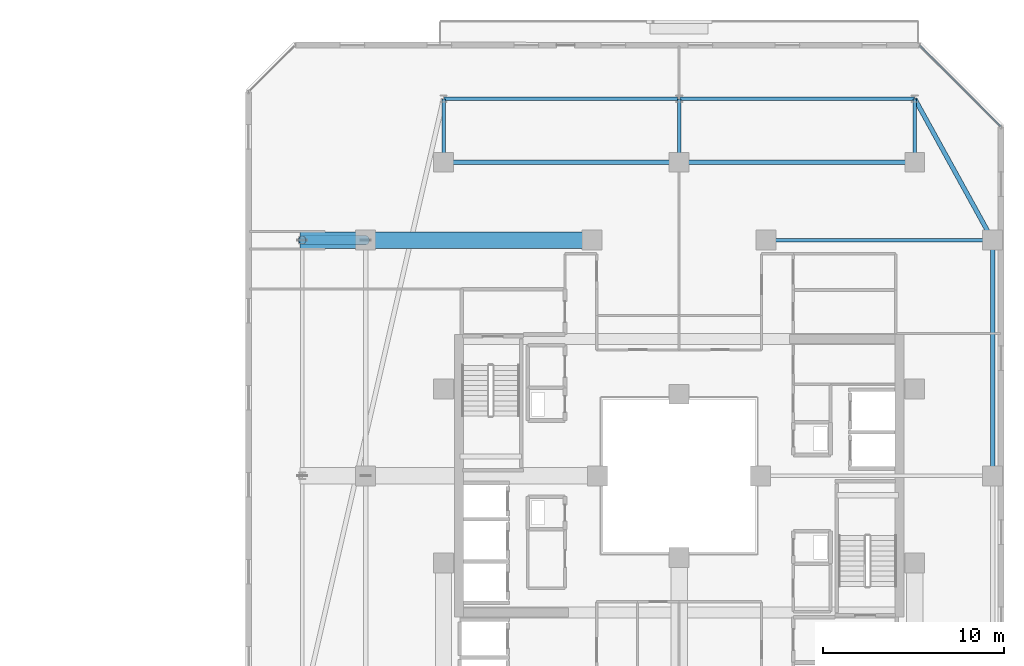
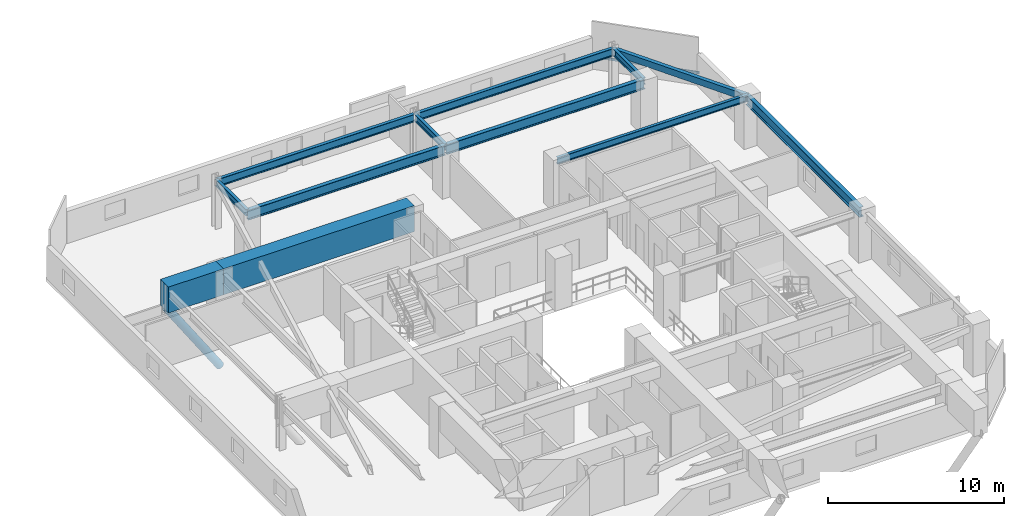
# One storey, part 15 of 36: 12 beams, 2 members, 1 element without a shape of its own.
"""IFC4 building model written with IfcOpenShell, lengths in metres."""

from ifc_helpers import new_model, si_unit, direction, frame, origin, origin_2d, place, context, subcontext, project, spatial, rectangle, hollow_rectangle, hollow_circle, i_section, extrude, material, material_profile, profile_set, type_object, element, aggregate, save


model = new_model("IFC4")

# Units and contexts
model_context = context("Model", 3, precision=1e-05, world=origin(), true_north=direction((0.0, 1.0)))
body_context = subcontext(model_context, "Body", "Model", "MODEL_VIEW")
ifc_project = project(units=[si_unit("LENGTHUNIT", "METRE"), si_unit("AREAUNIT", "SQUARE_METRE"), si_unit("VOLUMEUNIT", "CUBIC_METRE"), si_unit("PLANEANGLEUNIT", "RADIAN"), si_unit("MASSUNIT", "GRAM", prefix="KILO")], contexts=[model_context])

# Site, building, storey
site_placement = place(None, origin())
site = spatial("IfcSite", under=ifc_project, at=site_placement, CompositionType="ELEMENT")
building_placement = place(site_placement, origin())
building = spatial("IfcBuilding", under=site, at=building_placement, Name="Thornwick Lancets Civic Towers", CompositionType="ELEMENT")
storey_placement = place(building_placement, frame((0.0, 0.0, 196.5)))
storey = spatial("IfcBuildingStorey", under=building, at=storey_placement, Name="L52", CompositionType="ELEMENT", Elevation=196.5)

# Beams
ifc_material_1 = material(Name="Steel S355JR", Category="steel")
ifc_material_profile_1 = material_profile(ifc_material_1, i_section(OverallWidth=0.210693359375, OverallDepth=0.53955078125, WebThickness=0.01171875, FlangeThickness=0.018798828125, FilletRadius=0.0126953125, at=origin_2d()), Name="UKB 533x210x109")
ifc_profile_set_1 = profile_set([ifc_material_profile_1], Name="Steel S355JR")
beam_type_1 = type_object("IfcBeamType", Name="BM_EDGE_533_109", PredefinedType="SPANDREL", material=ifc_profile_set_1)
beam_1_placement = place(storey_placement, frame((101.5, 47.800048828125, 3.0703125), z_axis=(-1.0, 0.0, 0.0), x_axis=(0.0, -1.0, 0.0)))
element("IfcBeam", 1, at=beam_1_placement, inside=storey, type_object=beam_type_1, Name="BM-EDGE-L52-B-S1-1", PredefinedType="SPANDREL", context=body_context, shape_type="SweptSolid", body=[
    extrude(i_section(OverallWidth=0.210693359375, OverallDepth=0.53955078125, WebThickness=0.01171875, FlangeThickness=0.018798828125, FilletRadius=0.0126953125, at=origin_2d()), origin(), (0.0, 0.0, 1.0), 13.0),
])
beam_2_placement = place(storey_placement, frame((88.419921875, 47.800048828125, 3.0703125), z_axis=(-1.0, 0.0, 0.0), x_axis=(0.0, -1.0, 0.0)))
element("IfcBeam", 2, at=beam_2_placement, inside=storey, type_object=beam_type_1, Name="BM-EDGE-L52-B-S1-2", PredefinedType="SPANDREL", context=body_context, shape_type="SweptSolid", body=[
    extrude(i_section(OverallWidth=0.210693359375, OverallDepth=0.53955078125, WebThickness=0.01171875, FlangeThickness=0.018798828125, FilletRadius=0.0126953125, at=origin_2d()), origin(), (0.0, 0.0, 1.0), 12.919921875),
])
ifc_material_profile_2 = material_profile(ifc_material_1, i_section(OverallWidth=0.255859375, OverallDepth=0.69287109375, WebThickness=0.014404296875, FlangeThickness=0.023681640625, FilletRadius=0.01513671875, at=origin_2d()), Name="UKB 686x254x170")
ifc_profile_set_2 = profile_set([ifc_material_profile_2], Name="Steel S355JR")
beam_type_2 = type_object("IfcBeamType", Name="BM_GIRD_686_170", PredefinedType="BEAM", material=ifc_profile_set_2)
beam_3_placement = place(storey_placement, frame((105.800048828125, 27.080078125, 2.993408203125), z_axis=(0.0, 1.0, 0.0), x_axis=(-1.0, 0.0, 0.0)))
element("IfcBeam", 3, at=beam_3_placement, inside=storey, type_object=beam_type_2, Name="BM-SPINE-L52-B-1-2", PredefinedType="BEAM", context=body_context, shape_type="SweptSolid", body=[
    extrude(i_section(OverallWidth=0.255859375, OverallDepth=0.69287109375, WebThickness=0.014404296875, FlangeThickness=0.023681640625, FilletRadius=0.01513671875, at=origin_2d()), origin(), (0.0, 0.0, 1.0), 12.919921875),
])
beam_4_placement = place(storey_placement, frame((101.5, 44.300048828125, 2.993408203125), z_axis=(-1.0, 0.0, 0.0), x_axis=(0.0, -1.0, 0.0)))
element("IfcBeam", 4, at=beam_4_placement, inside=storey, type_object=beam_type_2, Name="BM-SPINE-L52-B-3-4", PredefinedType="BEAM", context=body_context, shape_type="SweptSolid", body=[
    extrude(i_section(OverallWidth=0.255859375, OverallDepth=0.69287109375, WebThickness=0.014404296875, FlangeThickness=0.023681640625, FilletRadius=0.01513671875, at=origin_2d()), origin(), (0.0, 0.0, 1.0), 13.0),
])
beam_5_placement = place(storey_placement, frame((88.419921875, 44.300048828125, 2.993408203125), z_axis=(-1.0, 0.0, 0.0), x_axis=(0.0, -1.0, 0.0)))
element("IfcBeam", 5, at=beam_5_placement, inside=storey, type_object=beam_type_2, Name="BM-SPINE-L52-B-4-5", PredefinedType="BEAM", context=body_context, shape_type="SweptSolid", body=[
    extrude(i_section(OverallWidth=0.255859375, OverallDepth=0.69287109375, WebThickness=0.014404296875, FlangeThickness=0.023681640625, FilletRadius=0.01513671875, at=origin_2d()), origin(), (0.0, 0.0, 1.0), 12.919921875),
])
ifc_material_profile_3 = material_profile(ifc_material_1, i_section(OverallWidth=0.19189453125, OverallDepth=0.46337890625, WebThickness=0.010498046875, FlangeThickness=0.017578125, FilletRadius=0.01025390625, at=origin_2d()), Name="UKB 457x191x89")
ifc_profile_set_3 = profile_set([ifc_material_profile_3], Name="Steel S355JR")
beam_type_3 = type_object("IfcBeamType", Name="BM_JOIST_457_89", PredefinedType="JOIST", material=ifc_profile_set_3)
beam_6_placement = place(storey_placement, frame((93.300048828125, 40.0, 3.1083984375), z_axis=(1.0, 0.0, 0.0), x_axis=(0.0, 1.0, 0.0)))
element("IfcBeam", 6, at=beam_6_placement, inside=storey, type_object=beam_type_3, Name="BM-RADIN-L52-B03", PredefinedType="JOIST", context=body_context, shape_type="SweptSolid", body=[
    extrude(i_section(OverallWidth=0.19189453125, OverallDepth=0.46337890625, WebThickness=0.010498046875, FlangeThickness=0.017578125, FilletRadius=0.01025390625, at=origin_2d()), origin(), (0.0, 0.0, 1.0), 12.5),
])
for number, where, z_axis, x_axis, name in (
    (7, (101.5, 44.300048828125, 3.1083984375), (0.0, 1.0, 0.0), (-1.0, 0.0, 0.0), "BM-RAD-L52-B04"),
    (8, (88.5, 44.300048828125, 3.1083984375), (0.0, 1.0, 0.0), (-1.0, 0.0, 0.0), "BM-RAD-L52-B05"),
    (9, (75.5, 44.300048828125, 3.1083984375), (0.0, 1.0, 0.0), (-1.0, 0.0, 0.0), "BM-RAD-L52-B06"),
):
    element("IfcBeam", number, at=place(storey_placement, frame(where, z_axis=z_axis, x_axis=x_axis)), inside=storey, type_object=beam_type_3, Name=name, PredefinedType="JOIST", context=body_context, shape_type="SweptSolid", body=[
        extrude(i_section(OverallWidth=0.19189453125, OverallDepth=0.46337890625, WebThickness=0.010498046875, FlangeThickness=0.017578125, FilletRadius=0.01025390625, at=origin_2d()), origin(), (0.0, 0.0, 1.0), 3.5),
    ])
ifc_material_profile_4 = material_profile(ifc_material_1, hollow_rectangle(XDim=0.25, YDim=0.449951171875, WallThickness=0.01611328125, at=origin_2d()), Name="RHS 450x250x16")
ifc_profile_set_4 = profile_set([ifc_material_profile_4], Name="Steel S355JR")
beam_type_4 = type_object("IfcBeamType", Name="BM_RING_RHS450", PredefinedType="BEAM", material=ifc_profile_set_4)
beam_7_placement = place(storey_placement, frame((105.800048828125, 40.0, 3.114990234375), z_axis=(-0.482782395749, 0.875740348708, 0.0), x_axis=(-0.875740348708, -0.482782395749, 0.0)))
element("IfcBeam", 10, at=beam_7_placement, inside=storey, type_object=beam_type_4, Name="BM-CHAMF-L52-B-C0", PredefinedType="BEAM", context=body_context, shape_type="SweptSolid", body=[
    extrude(hollow_rectangle(XDim=0.25, YDim=0.449951171875, WallThickness=0.01611328125, at=origin_2d()), origin(), (0.0, 0.0, 1.0), 8.90673828125),
])
ifc_material_2 = material(Name="Concrete C60/75", Category="concrete")
ifc_material_profile_5 = material_profile(ifc_material_2, rectangle(XDim=0.89990234375, YDim=1.800048828125, at=origin_2d()), Name="RC 900x1800")
ifc_profile_set_5 = profile_set([ifc_material_profile_5], Name="Concrete C60/75")
beam_type_5 = type_object("IfcBeamType", Name="BM_TR_RC1800", PredefinedType="BEAM", material=ifc_profile_set_5)
beam_8_placement = place(storey_placement, frame((83.699951171875, 40.0, 2.699951171875), z_axis=(-1.0, 0.0, 0.0), x_axis=(0.0, -1.0, 0.0)))
element("IfcBeam", 11, at=beam_8_placement, inside=storey, type_object=beam_type_5, Name="TG-BACK-L53-B09", PredefinedType="BEAM", context=body_context, shape_type="SweptSolid", body=[
    extrude(rectangle(XDim=0.89990234375, YDim=1.800048828125, at=origin_2d()), origin(), (0.0, 0.0, 1.0), 12.5),
])
beam_9_placement = place(storey_placement, frame((71.199951171875, 40.0, 2.699951171875), z_axis=(-1.0, 0.0, 0.0), x_axis=(0.0, -1.0, 0.0)))
element("IfcBeam", 12, at=beam_9_placement, inside=storey, type_object=beam_type_5, Name="TG-CANT-L53-B09", PredefinedType="BEAM", context=body_context, shape_type="SweptSolid", body=[
    extrude(rectangle(XDim=0.89990234375, YDim=1.800048828125, at=origin_2d()), origin(), (0.0, 0.0, 1.0), 3.619873046875),
])

# Curtain wall, member
ifc_material_3 = material(Name="Mid-zone chamfered-corner unitised glass curtain wall", Category="glass")
curtain_wall_type = type_object("IfcCurtainWallType", Name="CW_SYS_04", PredefinedType="NOTDEFINED", material=ifc_material_3)
curtain_wall_placement = place(storey_placement, origin())
curtain_wall = element("IfcCurtainWall", 13, at=curtain_wall_placement, inside=storey, type_object=curtain_wall_type, Name="L52 Curtain Wall CW-L52-B-E3", PredefinedType="NOTDEFINED")
ifc_material_4 = material(Name="Thermally broken bronze aluminium S355", Category="steel")
ifc_material_profile_6 = material_profile(ifc_material_4, hollow_rectangle(XDim=0.074951171875, YDim=0.14990234375, WallThickness=0.0048828125, at=origin_2d()), Name="RHS 150x75x5")
ifc_profile_set_6 = profile_set([ifc_material_profile_6], Name="Thermally broken bronze aluminium S355")
member_type_1 = type_object("IfcMemberType", Name="CW_TRN_150", PredefinedType="USERDEFINED", material=ifc_profile_set_6)
member_1_placement = place(storey_placement, frame((106.244140625, 46.26513671875, 0.85009765625), z_axis=(-0.707106781187, 0.707106781187, 0.0), x_axis=(-0.707106781187, -0.707106781187, 0.0)))
member_1 = element("IfcMember", 14, at=member_1_placement, type_object=member_type_1, Name="CW-L52-B-E3 Transom 0", ObjectType="TRANSOM", PredefinedType="USERDEFINED", context=body_context, shape_type="SweptSolid", body=[
    extrude(hollow_rectangle(XDim=0.074951171875, YDim=0.14990234375, WallThickness=0.0048828125, at=origin_2d()), origin(), (0.0, 0.0, 1.0), 6.334228515625),
])
aggregate(curtain_wall, [member_1])

# Member
ifc_material_5 = material(Name="Steel S460M", Category="steel")
ifc_material_profile_7 = material_profile(ifc_material_5, hollow_circle(Radius=0.25390625, WallThickness=0.02490234375, at=origin_2d()), Name="CHS 508x25")
ifc_profile_set_7 = profile_set([ifc_material_profile_7], Name="Steel S460M")
member_type_2 = type_object("IfcMemberType", Name="MEM_STRUT_CHS508", PredefinedType="STRUT", material=ifc_profile_set_7)
member_2_placement = place(storey_placement, frame((71.199951171875, 40.0, -3.35009765625), z_axis=(-0.556167580628, 0.0, 0.831070166868), x_axis=(0.0, -1.0, 0.0)))
element("IfcMember", 15, at=member_2_placement, inside=storey, type_object=member_type_2, Name="L53 Jenga Transfer Raking Strut B09", PredefinedType="STRUT", context=body_context, shape_type="SweptSolid", body=[
    extrude(hollow_circle(Radius=0.25390625, WallThickness=0.02490234375, at=origin_2d()), origin(), (0.0, 0.0, 1.0), 6.29296875),
])

save(model, "model.ifc")
